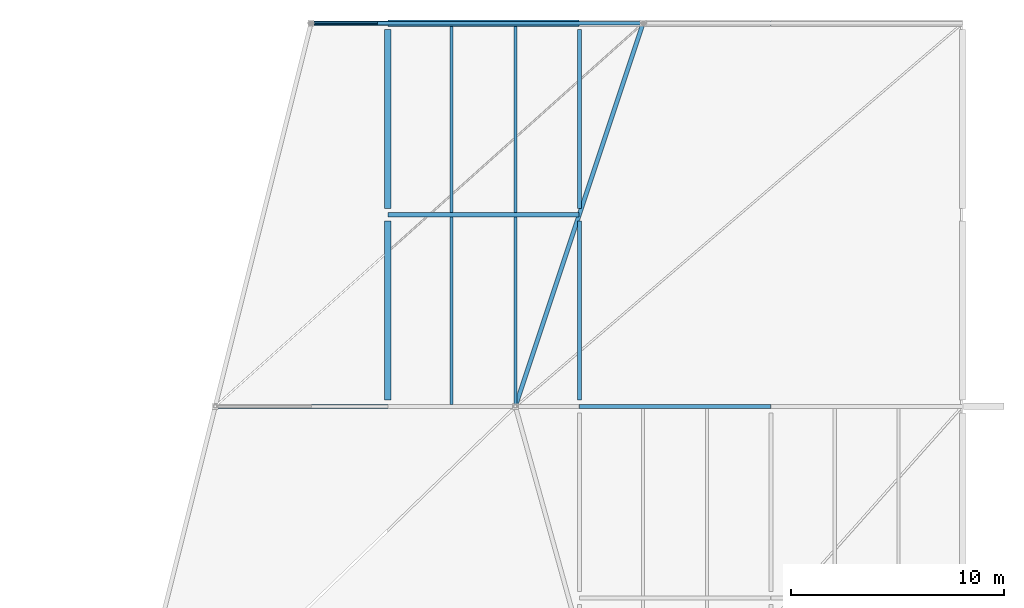
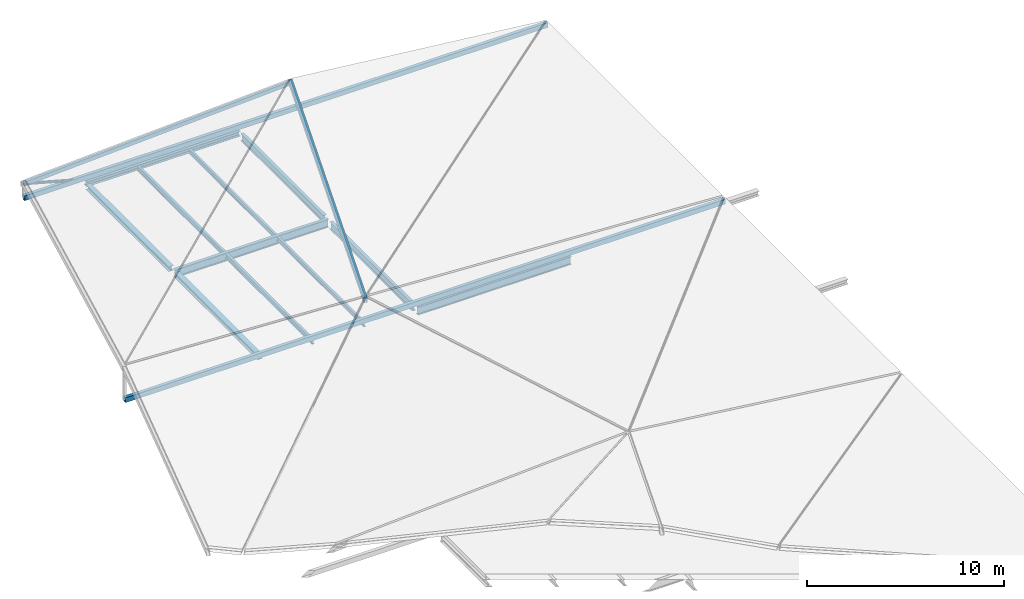
# One storey, part 9 of 18: 11 beams, 5 members.
"""IFC4 building model written with IfcOpenShell, lengths in metres."""

from ifc_helpers import new_model, si_unit, direction, frame, origin, origin_2d, place, context, subcontext, project, spatial, hollow_rectangle, hollow_circle, i_section, extrude, material, material_profile, profile_set, type_object, element, save


model = new_model("IFC4")

# Units and contexts
model_context = context("Model", 3, precision=1e-05, world=origin(), true_north=direction((0.0, 1.0)))
body_context = subcontext(model_context, "Body", "Model", "MODEL_VIEW")
ifc_project = project(units=[si_unit("LENGTHUNIT", "METRE"), si_unit("AREAUNIT", "SQUARE_METRE"), si_unit("VOLUMEUNIT", "CUBIC_METRE"), si_unit("PLANEANGLEUNIT", "RADIAN"), si_unit("MASSUNIT", "GRAM", prefix="KILO")], contexts=[model_context])

# Site, building, storey
site_placement = place(None, origin())
site = spatial("IfcSite", under=ifc_project, at=site_placement, CompositionType="ELEMENT")
building_placement = place(site_placement, origin())
building = spatial("IfcBuilding", under=site, at=building_placement, Name="Deido Ridge Mobility Hub", CompositionType="ELEMENT")
storey_placement = place(building_placement, frame((0.0, 0.0, 29.39990234375)))
storey = spatial("IfcBuildingStorey", under=building, at=storey_placement, Name="RF", CompositionType="ELEMENT", Elevation=29.39990234375)

# Beams
ifc_material_1 = material(Name="Steel S355J2 EN 10025-2", Category="steel")
ifc_material_profile_1 = material_profile(ifc_material_1, i_section(OverallWidth=0.18994140625, OverallDepth=0.449951171875, WebThickness=0.009521484375, FlangeThickness=0.0146484375, FilletRadius=0.02099609375, at=origin_2d()), Name="IPE 450")
ifc_profile_set_1 = profile_set([ifc_material_profile_1], Name="Steel S355J2 EN 10025-2")
beam_type_1 = type_object("IfcBeamType", Name="BM-IPE450", PredefinedType="BEAM", material=ifc_profile_set_1)
for number, where, z_axis, x_axis, name in (
    (1, (162.0, 36.300048828125, -0.46484375), (0.0, 1.0, 0.0), (-1.0, 0.0, 0.0), "Floor beam B4"),
    (2, (162.0, 45.300048828125, -0.46484375), (0.0, 1.0, 0.0), (-1.0, 0.0, 0.0), "Floor beam B4"),
):
    element("IfcBeam", number, at=place(storey_placement, frame(where, z_axis=z_axis, x_axis=x_axis)), inside=storey, type_object=beam_type_1, Name=name, PredefinedType="BEAM", context=body_context, shape_type="SweptSolid", body=[
        extrude(i_section(OverallWidth=0.18994140625, OverallDepth=0.449951171875, WebThickness=0.009521484375, FlangeThickness=0.0146484375, FilletRadius=0.02099609375, at=origin_2d()), origin(), (0.0, 0.0, 1.0), 8.39990234375),
    ])
ifc_material_profile_2 = material_profile(ifc_material_1, i_section(OverallWidth=0.199951171875, OverallDepth=0.5, WebThickness=0.01025390625, FlangeThickness=0.01611328125, FilletRadius=0.02099609375, at=origin_2d()), Name="IPE 500")
ifc_profile_set_2 = profile_set([ifc_material_profile_2], Name="Steel S355J2 EN 10025-2")
beam_type_2 = type_object("IfcBeamType", Name="BM-IPE500", PredefinedType="BEAM", material=ifc_profile_set_2)
for number, where, z_axis, x_axis, name in (
    (3, (162.0078125, 36.0, -0.489990234375), (1.0, 0.0, 0.0), (0.0, 1.0, 0.0), "Floor beam B3"),
    (4, (153.0078125, 45.0, -0.489990234375), (1.0, 0.0, 0.0), (0.0, 1.0, 0.0), "Floor beam B3"),
):
    element("IfcBeam", number, at=place(storey_placement, frame(where, z_axis=z_axis, x_axis=x_axis)), inside=storey, type_object=beam_type_2, Name=name, PredefinedType="BEAM", context=body_context, shape_type="SweptSolid", body=[
        extrude(i_section(OverallWidth=0.199951171875, OverallDepth=0.5, WebThickness=0.01025390625, FlangeThickness=0.01611328125, FilletRadius=0.02099609375, at=origin_2d()), origin(), (0.0, 0.0, 1.0), 8.984375),
    ])
ifc_material_profile_3 = material_profile(ifc_material_1, i_section(OverallWidth=0.135009765625, OverallDepth=0.27001953125, WebThickness=0.006591796875, FlangeThickness=0.01025390625, FilletRadius=0.014892578125, at=origin_2d()), Name="IPE 270")
ifc_profile_set_3 = profile_set([ifc_material_profile_3], Name="Steel S355J2 EN 10025-2")
beam_type_3 = type_object("IfcBeamType", Name="JST-IPE270", PredefinedType="JOIST", material=ifc_profile_set_3)
beam_1_placement = place(storey_placement, frame((159.0, 36.10009765625, -0.375), z_axis=(0.0, 1.0, 0.0), x_axis=(-1.0, 0.0, 0.0)))
element("IfcBeam", 5, at=beam_1_placement, inside=storey, type_object=beam_type_3, Name="Composite joist J4", PredefinedType="JOIST", context=body_context, shape_type="SweptSolid", body=[
    extrude(i_section(OverallWidth=0.135009765625, OverallDepth=0.27001953125, WebThickness=0.006591796875, FlangeThickness=0.01025390625, FilletRadius=0.014892578125, at=origin_2d()), origin(), (0.0, 0.0, 1.0), 8.7998046875),
])
beam_2_placement = place(storey_placement, frame((159.0, 45.10009765625, -0.375), z_axis=(0.0, 1.0, 0.0), x_axis=(-1.0, 0.0, 0.0)))
element("IfcBeam", 6, at=beam_2_placement, inside=storey, type_object=beam_type_3, Name="Composite joist J4", PredefinedType="JOIST", context=body_context, shape_type="SweptSolid", body=[
    extrude(i_section(OverallWidth=0.135009765625, OverallDepth=0.27001953125, WebThickness=0.006591796875, FlangeThickness=0.01025390625, FilletRadius=0.014892578125, at=origin_2d()), origin(), (0.0, 0.0, 1.0), 8.75),
])
ifc_material_profile_4 = material_profile(ifc_material_1, i_section(OverallWidth=0.14990234375, OverallDepth=0.300048828125, WebThickness=0.007080078125, FlangeThickness=0.0107421875, FilletRadius=0.014892578125, at=origin_2d()), Name="IPE 300")
ifc_profile_set_4 = profile_set([ifc_material_profile_4], Name="Steel S355J2 EN 10025-2")
beam_type_4 = type_object("IfcBeamType", Name="JST-IPE300", PredefinedType="JOIST", material=ifc_profile_set_4)
beam_3_placement = place(storey_placement, frame((156.0, 36.10009765625, -0.389892578125), z_axis=(0.0, 1.0, 0.0), x_axis=(-1.0, 0.0, 0.0)))
element("IfcBeam", 7, at=beam_3_placement, inside=storey, type_object=beam_type_4, Name="Composite joist J3", PredefinedType="JOIST", context=body_context, shape_type="SweptSolid", body=[
    extrude(i_section(OverallWidth=0.14990234375, OverallDepth=0.300048828125, WebThickness=0.007080078125, FlangeThickness=0.0107421875, FilletRadius=0.014892578125, at=origin_2d()), origin(), (0.0, 0.0, 1.0), 8.7998046875),
])
beam_4_placement = place(storey_placement, frame((156.0, 45.10009765625, -0.389892578125), z_axis=(0.0, 1.0, 0.0), x_axis=(-1.0, 0.0, 0.0)))
element("IfcBeam", 8, at=beam_4_placement, inside=storey, type_object=beam_type_4, Name="Composite joist J3", PredefinedType="JOIST", context=body_context, shape_type="SweptSolid", body=[
    extrude(i_section(OverallWidth=0.14990234375, OverallDepth=0.300048828125, WebThickness=0.007080078125, FlangeThickness=0.0107421875, FilletRadius=0.014892578125, at=origin_2d()), origin(), (0.0, 0.0, 1.0), 8.75),
])

# Members
ifc_material_2 = material(Name="Steel S355J2H EN 10210-1", Category="steel")
ifc_material_profile_5 = material_profile(ifc_material_2, hollow_rectangle(XDim=0.199951171875, YDim=0.300048828125, WallThickness=0.012451171875, at=origin_2d()), Name="RHS 300x200x12.5")
ifc_profile_set_5 = profile_set([ifc_material_profile_5], Name="Steel S355J2H EN 10210-1")
member_type_1 = type_object("IfcMemberType", Name="MEM-CHD-RHS300", PredefinedType="CHORD", material=ifc_profile_set_5)
member_1_placement = place(storey_placement, frame((144.89990234375, 36.0, 0.0), z_axis=(1.0, 0.0, 0.0), x_axis=(0.0, 1.0, 0.0)))
element("IfcMember", 9, at=member_1_placement, inside=storey, type_object=member_type_1, Name="Crystal roof tie chord CH1", PredefinedType="CHORD", context=body_context, shape_type="SweptSolid", body=[
    extrude(hollow_rectangle(XDim=0.199951171875, YDim=0.300048828125, WallThickness=0.012451171875, at=origin_2d()), origin(), (0.0, 0.0, 1.0), 35.10009765625),
])
member_2_placement = place(storey_placement, frame((149.39990234375, 54.0, 0.0), z_axis=(1.0, 0.0, 0.0), x_axis=(0.0, 1.0, 0.0)))
element("IfcMember", 10, at=member_2_placement, inside=storey, type_object=member_type_1, Name="Crystal roof tie chord CH1", PredefinedType="CHORD", context=body_context, shape_type="SweptSolid", body=[
    extrude(hollow_rectangle(XDim=0.199951171875, YDim=0.300048828125, WallThickness=0.012451171875, at=origin_2d()), origin(), (0.0, 0.0, 1.0), 30.60009765625),
])
member_3_placement = place(storey_placement, frame((159.0, 36.0, 1.190185546875), z_axis=(0.316118021864, 0.948354065593, 0.026343168489), x_axis=(-0.948683298051, 0.316227766017, 0.0)))
element("IfcMember", 11, at=member_3_placement, inside=storey, type_object=member_type_1, Name="Crystal longitudinal ridge chord CH1", PredefinedType="CHORD", context=body_context, shape_type="SweptSolid", body=[
    extrude(hollow_rectangle(XDim=0.199951171875, YDim=0.300048828125, WallThickness=0.012451171875, at=origin_2d()), origin(), (0.0, 0.0, 1.0), 18.980224609375),
])
ifc_material_profile_6 = material_profile(ifc_material_2, hollow_rectangle(XDim=0.14990234375, YDim=0.25, WallThickness=0.010009765625, at=origin_2d()), Name="RHS 250x150x10")
ifc_profile_set_6 = profile_set([ifc_material_profile_6], Name="Steel S355J2H EN 10210-1")
member_type_2 = type_object("IfcMemberType", Name="MEM-RAF-RHS250", PredefinedType="RAFTER", material=ifc_profile_set_6)
member_4_placement = place(storey_placement, frame((149.39990234375, 54.0, 0.85009765625), z_axis=(0.99868751999, 0.0, 0.051217549892), x_axis=(0.0, 1.0, 0.0)))
element("IfcMember", 12, at=member_4_placement, inside=storey, type_object=member_type_2, Name="Crystal roof folded rafter RF1", PredefinedType="RAFTER", context=body_context, shape_type="SweptSolid", body=[
    extrude(hollow_rectangle(XDim=0.14990234375, YDim=0.25, WallThickness=0.010009765625, at=origin_2d()), origin(), (0.0, 0.0, 1.0), 15.62060546875),
])
ifc_material_profile_7 = material_profile(ifc_material_2, hollow_circle(Radius=0.084228515625, WallThickness=0.008056640625, at=origin_2d()), Name="CHS 168.3x8")
ifc_profile_set_7 = profile_set([ifc_material_profile_7], Name="Steel S355J2H EN 10210-1")
member_type_3 = type_object("IfcMemberType", Name="MEM-STR-CHS168", PredefinedType="STRUT", material=ifc_profile_set_7)
member_5_placement = place(storey_placement, frame((152.5, 54.0, 0.0), z_axis=(-0.964398340804, 0.0, 0.264453852786), x_axis=(0.0, -1.0, 0.0)))
element("IfcMember", 13, at=member_5_placement, inside=storey, type_object=member_type_3, Name="Crystal diagonal web strut SR1", PredefinedType="STRUT", context=body_context, shape_type="SweptSolid", body=[
    extrude(hollow_circle(Radius=0.084228515625, WallThickness=0.008056640625, at=origin_2d()), origin(), (0.0, 0.0, 1.0), 3.214599609375),
])

# Beams
ifc_material_profile_8 = material_profile(ifc_material_1, i_section(OverallWidth=0.300048828125, OverallDepth=0.300048828125, WebThickness=0.010986328125, FlangeThickness=0.01904296875, FilletRadius=0.027099609375, at=origin_2d()), Name="HEB 300")
ifc_profile_set_8 = profile_set([ifc_material_profile_8], Name="Steel S355J2 EN 10025-2")
beam_type_5 = type_object("IfcBeamType", Name="SPD-HEB300", PredefinedType="SPANDREL", material=ifc_profile_set_8)
beam_5_placement = place(storey_placement, frame((153.0078125, 54.0, -0.389892578125), z_axis=(1.0, 0.0, 0.0), x_axis=(0.0, 1.0, 0.0)))
element("IfcBeam", 14, at=beam_5_placement, inside=storey, type_object=beam_type_5, Name="Floor beam SP1", PredefinedType="SPANDREL", context=body_context, shape_type="SweptSolid", body=[
    extrude(i_section(OverallWidth=0.300048828125, OverallDepth=0.300048828125, WebThickness=0.010986328125, FlangeThickness=0.01904296875, FilletRadius=0.027099609375, at=origin_2d()), origin(), (0.0, 0.0, 1.0), 8.984375),
])
for number, where, z_axis, x_axis, name in (
    (15, (153.0, 36.300048828125, -0.389892578125), (0.0, 1.0, 0.0), (-1.0, 0.0, 0.0), "Floor beam SP1"),
    (16, (153.0, 45.300048828125, -0.389892578125), (0.0, 1.0, 0.0), (-1.0, 0.0, 0.0), "Floor beam SP1"),
):
    element("IfcBeam", number, at=place(storey_placement, frame(where, z_axis=z_axis, x_axis=x_axis)), inside=storey, type_object=beam_type_5, Name=name, PredefinedType="SPANDREL", context=body_context, shape_type="SweptSolid", body=[
        extrude(i_section(OverallWidth=0.300048828125, OverallDepth=0.300048828125, WebThickness=0.010986328125, FlangeThickness=0.01904296875, FilletRadius=0.027099609375, at=origin_2d()), origin(), (0.0, 0.0, 1.0), 8.39990234375),
    ])

save(model, "model.ifc")
